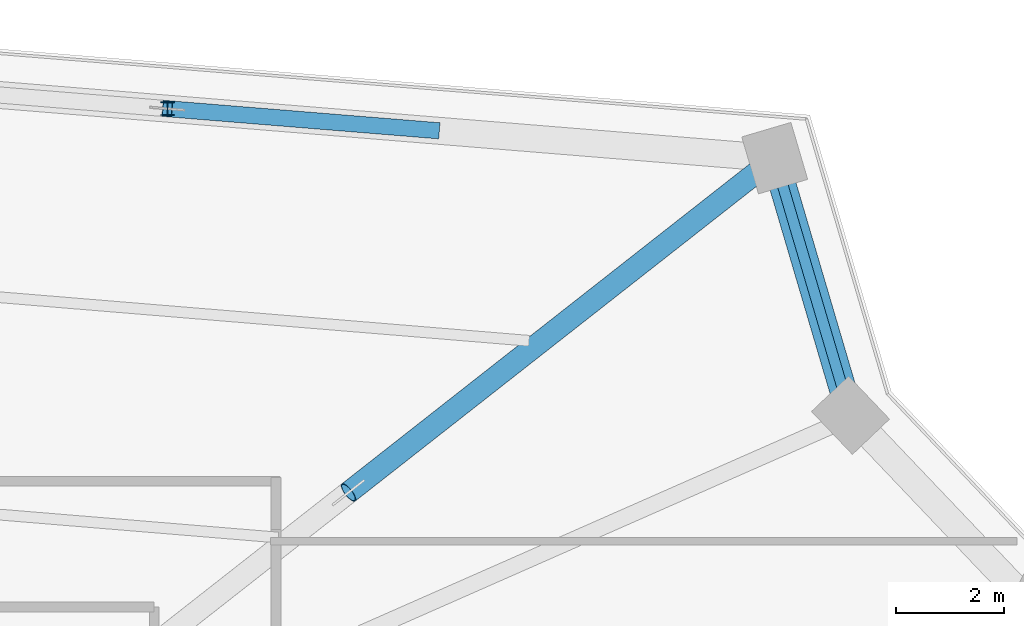
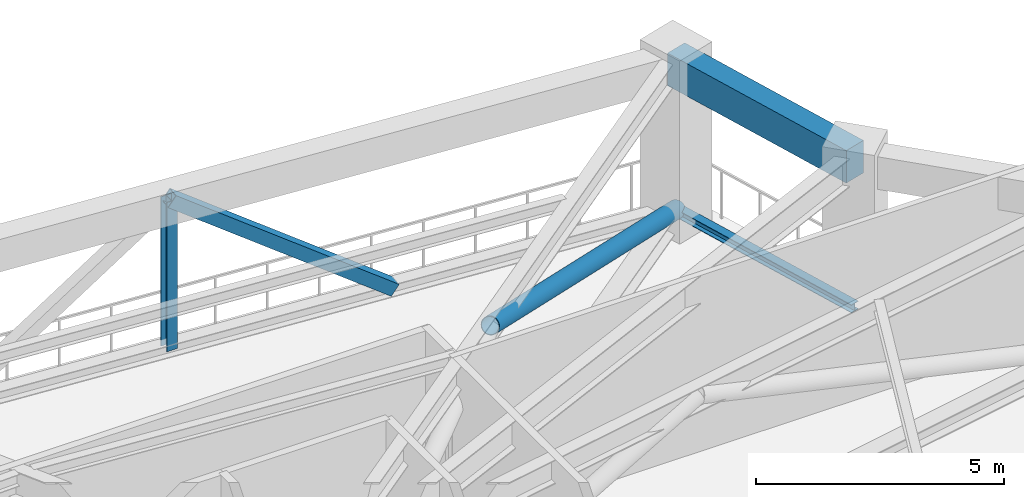
# One storey, part 10 of 22: 4 members, 1 beam.
"""IFC4 building model written with IfcOpenShell, lengths in metres."""

from ifc_helpers import new_model, si_unit, direction, frame, origin, origin_2d, place, context, subcontext, project, spatial, rectangle, hollow_rectangle, hollow_circle, i_section, extrude, source, transform, mapped, material, material_profile, profile_set, type_object, element, save


model = new_model("IFC4")

# Units and contexts
model_context = context("Model", 3, precision=1e-05, world=origin(), true_north=direction((0.0, 1.0)))
body_context = subcontext(model_context, "Body", "Model", "MODEL_VIEW")
ifc_project = project(units=[si_unit("LENGTHUNIT", "METRE"), si_unit("AREAUNIT", "SQUARE_METRE"), si_unit("VOLUMEUNIT", "CUBIC_METRE"), si_unit("PLANEANGLEUNIT", "RADIAN"), si_unit("MASSUNIT", "GRAM", prefix="KILO")], contexts=[model_context])

# Site, building, storey
site_placement = place(None, origin())
site = spatial("IfcSite", under=ifc_project, at=site_placement, CompositionType="ELEMENT")
building_placement = place(site_placement, origin())
building = spatial("IfcBuilding", under=site, at=building_placement, Name="Liaohun Quay Tower", CompositionType="ELEMENT")
storey_placement = place(building_placement, frame((0.0, 0.0, 324.0)))
storey = spatial("IfcBuildingStorey", under=building, at=storey_placement, Name="L84", CompositionType="ELEMENT", Elevation=324.0)

# Member
ifc_material_1 = material(Name="Steel Q355D", Category="steel")
ifc_material_profile_1 = material_profile(ifc_material_1, i_section(OverallWidth=0.25, OverallDepth=0.25, WebThickness=0.009033203125, FlangeThickness=0.013916015625, at=origin_2d()), Name="HW250x250x9x14")
ifc_profile_set_1 = profile_set([ifc_material_profile_1], Name="Steel Q355D")
member_type_1 = type_object("IfcMemberType", Name="MEM-BLT-PST", PredefinedType="POST", material=ifc_profile_set_1)
shared_shape_1 = source(origin(), body_context, "Body", "SweptSolid", [
    extrude(i_section(OverallWidth=0.25, OverallDepth=0.25, WebThickness=0.009033203125, FlangeThickness=0.013916015625, at=origin_2d()), origin(), (0.0, 0.0, 1.0), 3.669921875),
])
member_1_placement = place(storey_placement, frame((73.544921875, 74.81591796875, 0.35009765625), z_axis=(0.0, 0.0, 1.0), x_axis=(1.0, 0.0, 0.0)))
element("IfcMember", 1, at=member_1_placement, inside=storey, type_object=member_type_1, Name="L84 Belt Truss Vertical Post BP-1-04", PredefinedType="POST", context=body_context, shape_type="MappedRepresentation", body=[
    mapped(shared_shape_1, transform((0.0, 0.0, 0.0), x_axis=(1.0, 0.0, 0.0), y_axis=(0.0, 1.0, 0.0), z_axis=(0.0, 0.0, 1.0), scale=1.0)),
])

# Beam
ifc_material_2 = material(Name="Precast concrete C50", Category="concrete")
ifc_material_profile_2 = material_profile(ifc_material_2, rectangle(XDim=0.5, YDim=0.800048828125, at=origin_2d()), Name="RC500x800")
ifc_profile_set_2 = profile_set([ifc_material_profile_2], Name="Precast concrete C50")
beam_type = type_object("IfcBeamType", Name="BM-SPD-Z4", PredefinedType="SPANDREL", material=ifc_profile_set_2)
shared_shape_2 = source(origin(), body_context, "Body", "SweptSolid", [
    extrude(rectangle(XDim=0.5, YDim=0.800048828125, at=origin_2d()), origin(), (0.0, 0.0, 1.0), 4.969482421875),
])
beam_placement = place(storey_placement, frame((84.804931640625, 73.89892578125, 3.919921875), z_axis=(0.282724819894, -0.959201061413, 0.0), x_axis=(0.959201061413, 0.282724819894, 0.0)))
element("IfcBeam", 2, at=beam_placement, inside=storey, type_object=beam_type, Name="L84 Precast Spandrel Beam PC07-PC08", PredefinedType="SPANDREL", context=body_context, shape_type="MappedRepresentation", body=[
    mapped(shared_shape_2, transform((0.0, 0.0, 0.0), x_axis=(1.0, 0.0, 0.0), y_axis=(0.0, 1.0, 0.0), z_axis=(0.0, 0.0, 1.0), scale=1.0)),
])

# Members
ifc_material_3 = material(Name="Steel Q420D", Category="steel")
ifc_material_profile_3 = material_profile(ifc_material_3, hollow_circle(Radius=0.202880859375, WallThickness=0.01611328125, at=origin_2d()), Name="CHS406x16")
ifc_profile_set_3 = profile_set([ifc_material_profile_3], Name="Steel Q420D")
member_type_2 = type_object("IfcMemberType", Name="MEM-OUT-DG2", PredefinedType="BRACE", material=ifc_profile_set_3)
shared_shape_3 = source(origin(), body_context, "Body", "SweptSolid", [
    extrude(hollow_circle(Radius=0.202880859375, WallThickness=0.01611328125, at=origin_2d()), origin(), (0.0, 0.0, 1.0), 10.69287109375),
])
member_2_placement = place(storey_placement, frame((76.903076171875, 67.699951171875, 4.02001953125), z_axis=(0.73899178695, 0.579736157154, -0.343215860515), x_axis=(-0.617228759342, 0.78678374325, 0.0)))
element("IfcMember", 3, at=member_2_placement, inside=storey, type_object=member_type_2, Name="L84 Outrigger Diagonal OD-04B", PredefinedType="BRACE", context=body_context, shape_type="MappedRepresentation", body=[
    mapped(shared_shape_3, transform((0.0, 0.0, 0.0), x_axis=(1.0, 0.0, 0.0), y_axis=(0.0, 1.0, 0.0), z_axis=(0.0, 0.0, 1.0), scale=1.0)),
])
ifc_material_profile_4 = material_profile(ifc_material_1, hollow_rectangle(XDim=0.300048828125, YDim=0.300048828125, WallThickness=0.013916015625, at=origin_2d()), Name="SHS300x300x14")
ifc_profile_set_4 = profile_set([ifc_material_profile_4], Name="Steel Q355D")
member_type_3 = type_object("IfcMemberType", Name="MEM-BLT-DG3", PredefinedType="BRACE", material=ifc_profile_set_4)
shared_shape_4 = source(origin(), body_context, "Body", "SweptSolid", [
    extrude(hollow_rectangle(XDim=0.300048828125, YDim=0.300048828125, WallThickness=0.013916015625, at=origin_2d()), origin(), (0.0, 0.0, 1.0), 6.178466796875),
])
member_3_placement = place(storey_placement, frame((73.544921875, 74.81591796875, 4.02001953125), z_axis=(0.801830643417, -0.065199120917, -0.593983748859), x_axis=(0.081045347182, 0.996710415166, 0.0)))
element("IfcMember", 4, at=member_3_placement, inside=storey, type_object=member_type_3, Name="L84 Belt Truss Diagonal BD-04B", PredefinedType="BRACE", context=body_context, shape_type="MappedRepresentation", body=[
    mapped(shared_shape_4, transform((0.0, 0.0, 0.0), x_axis=(1.0, 0.0, 0.0), y_axis=(0.0, 1.0, 0.0), z_axis=(0.0, 0.0, 1.0), scale=1.0)),
])
ifc_material_profile_5 = material_profile(ifc_material_1, i_section(OverallWidth=0.199951171875, OverallDepth=0.199951171875, WebThickness=0.008056640625, FlangeThickness=0.011962890625, at=origin_2d()), Name="HW200x200x8x12")
ifc_profile_set_5 = profile_set([ifc_material_profile_5], Name="Steel Q355D")
member_type_4 = type_object("IfcMemberType", Name="MEM-HDR-TRM", PredefinedType="STUD", material=ifc_profile_set_5)
shared_shape_5 = source(origin(), body_context, "Body", "SweptSolid", [
    extrude(i_section(OverallWidth=0.199951171875, OverallDepth=0.199951171875, WebThickness=0.008056640625, FlangeThickness=0.011962890625, at=origin_2d()), origin(), (0.0, 0.0, 1.0), 4.969482421875),
])
member_4_placement = place(storey_placement, frame((84.804931640625, 73.89892578125, 0.35009765625), z_axis=(0.282724819894, -0.959201061413, 0.0), x_axis=(0.959201061413, 0.282724819894, 0.0)))
element("IfcMember", 5, at=member_4_placement, inside=storey, type_object=member_type_4, Name="L84 Refuge Notch Header Tie Stud HT-1-02", PredefinedType="STUD", context=body_context, shape_type="MappedRepresentation", body=[
    mapped(shared_shape_5, transform((0.0, 0.0, 0.0), x_axis=(1.0, 0.0, 0.0), y_axis=(0.0, 1.0, 0.0), z_axis=(0.0, 0.0, 1.0), scale=1.0)),
])

save(model, "model.ifc")
